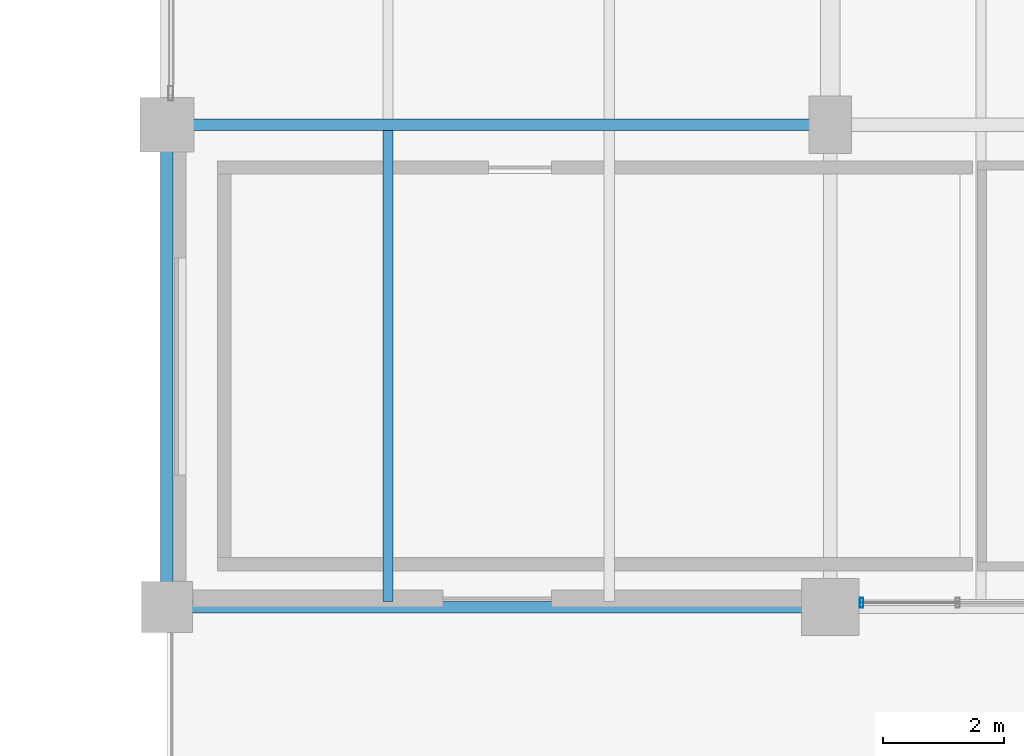
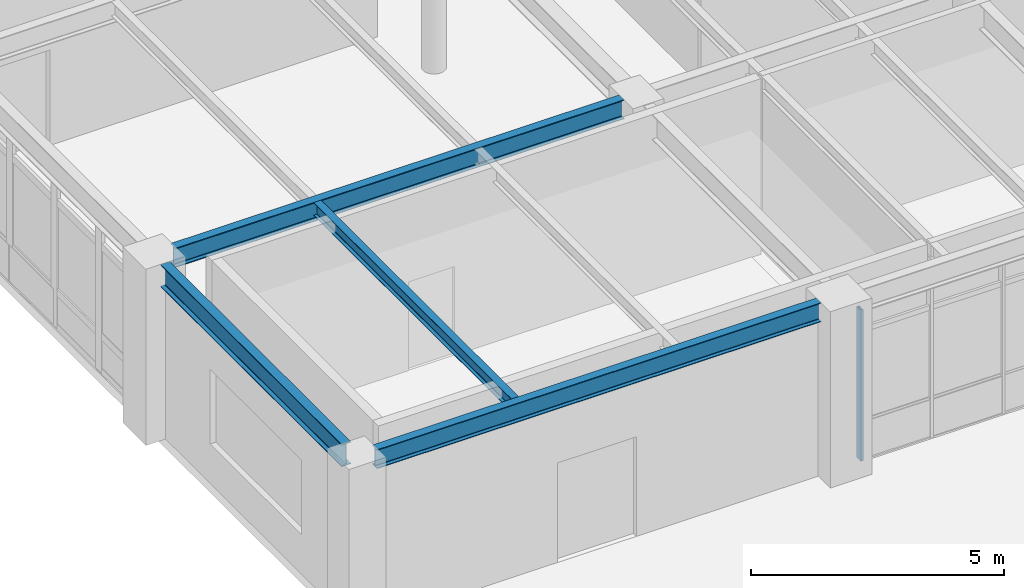
# One storey, part 69 of 168: 4 beams, 1 member, 1 element without a shape of its own.
"""IFC4 building model written with IfcOpenShell, lengths in metres."""

from ifc_helpers import new_model, si_unit, direction, frame, origin, origin_2d, place, context, subcontext, project, spatial, hollow_rectangle, i_section, extrude, material, material_profile, profile_set, type_object, element, aggregate, save


model = new_model("IFC4")

# Units and contexts
model_context = context("Model", 3, precision=1e-05, world=origin(), true_north=direction((0.0, 1.0)))
body_context = subcontext(model_context, "Body", "Model", "MODEL_VIEW")
ifc_project = project(units=[si_unit("LENGTHUNIT", "METRE"), si_unit("AREAUNIT", "SQUARE_METRE"), si_unit("VOLUMEUNIT", "CUBIC_METRE"), si_unit("PLANEANGLEUNIT", "RADIAN"), si_unit("MASSUNIT", "GRAM", prefix="KILO"), si_unit("THERMODYNAMICTEMPERATUREUNIT", "KELVIN"), si_unit("POWERUNIT", "WATT")], contexts=[model_context])

# Site, building, storey
site_placement = place(None, origin())
site = spatial("IfcSite", under=ifc_project, at=site_placement, CompositionType="ELEMENT")
building_placement = place(site_placement, origin())
building = spatial("IfcBuilding", under=site, at=building_placement, Name="Tepalcoro Natatorium and Aquatics Centre", CompositionType="ELEMENT")
storey_placement = place(building_placement, frame((0.0, 0.0, 10.199951171875)))
storey = spatial("IfcBuildingStorey", under=building, at=storey_placement, Name="L02", CompositionType="ELEMENT", Elevation=10.199951171875)

# Beam
ifc_material_1 = material(Name="Steel ASTM A992 Grade 50 (Fy 345 MPa)", Category="steel")
ifc_material_profile_1 = material_profile(ifc_material_1, i_section(OverallWidth=0.193115234375, OverallDepth=0.467041015625, WebThickness=0.010986328125, FlangeThickness=0.01904296875, FilletRadius=0.013916015625, at=origin_2d()), Name="W18X65")
ifc_profile_set_1 = profile_set([ifc_material_profile_1], Name="Steel ASTM A992 Grade 50 (Fy 345 MPa)")
beam_type_1 = type_object("IfcBeamType", Name="BM_W18x65", PredefinedType="BEAM", material=ifc_profile_set_1)
beam_1_placement = place(storey_placement, frame((10.43505859375, 102.0, 4.00146484375), z_axis=(1.0, 0.0, 0.0), x_axis=(0.0, 1.0, 0.0)))
element("IfcBeam", 1, at=beam_1_placement, inside=storey, type_object=beam_type_1, Name="V4 L02 Grid Girder X", PredefinedType="BEAM", context=body_context, shape_type="SweptSolid", body=[
    extrude(i_section(OverallWidth=0.193115234375, OverallDepth=0.467041015625, WebThickness=0.010986328125, FlangeThickness=0.01904296875, FilletRadius=0.013916015625, at=origin_2d()), origin(), (0.0, 0.0, 1.0), 10.22998046875),
])

# Curtain wall, member
ifc_material_2 = material(Name="Bronze-Anodised Extruded Aluminium Alloy EN AW-6063 T6", Category="aluminium")
curtain_wall_type = type_object("IfcCurtainWallType", Name="CW_V3_FOYER", PredefinedType="USERDEFINED", material=ifc_material_2)
curtain_wall_placement = place(storey_placement, origin())
curtain_wall = element("IfcCurtainWall", 2, at=curtain_wall_placement, inside=storey, type_object=curtain_wall_type, Name="V4 L02 S Unitised Curtain Wall Bay 2", ObjectType="UNITISED STOREFRONT", PredefinedType="USERDEFINED")
ifc_material_profile_2 = material_profile(ifc_material_2, hollow_rectangle(XDim=0.06005859375, YDim=0.159912109375, WallThickness=0.00390625, at=origin_2d()), Name="AL60X160X4")
ifc_profile_set_2 = profile_set([ifc_material_profile_2], Name="Bronze-Anodised Extruded Aluminium Alloy EN AW-6063 T6")
member_type = type_object("IfcMemberType", Name="CW_MUL_60x160", PredefinedType="MULLION", material=ifc_profile_set_2)
member_placement = place(storey_placement, frame((21.52001953125, 94.0712890625, 0.02001953125), z_axis=(0.0, 0.0, 1.0), x_axis=(1.0, 0.0, 0.0)))
member = element("IfcMember", 3, at=member_placement, type_object=member_type, Name="CW_V3_FOYER Curtain Wall Mullion", PredefinedType="MULLION", context=body_context, shape_type="SweptSolid", body=[
    extrude(hollow_rectangle(XDim=0.06005859375, YDim=0.159912109375, WallThickness=0.00390625, at=origin_2d()), origin(), (0.0, 0.0, 1.0), 3.64404296875),
])
aggregate(curtain_wall, [member])

# Beams
ifc_material_profile_3 = material_profile(ifc_material_1, i_section(OverallWidth=0.1669921875, OverallDepth=0.318115234375, WebThickness=0.008056640625, FlangeThickness=0.012939453125, FilletRadius=0.013916015625, at=origin_2d()), Name="W12X35")
ifc_profile_set_3 = profile_set([ifc_material_profile_3], Name="Steel ASTM A992 Grade 50 (Fy 345 MPa)")
beam_type_2 = type_object("IfcBeamType", Name="JS_W12x35", PredefinedType="JOIST", material=ifc_profile_set_3)
beam_2_placement = place(storey_placement, frame((13.666748046875, 94.095458984375, 4.075927734375), z_axis=(0.0, 1.0, 0.0), x_axis=(-1.0, 0.0, 0.0)))
element("IfcBeam", 4, at=beam_2_placement, inside=storey, type_object=beam_type_2, Name="V4 L02 Floor Joist", PredefinedType="JOIST", context=body_context, shape_type="SweptSolid", body=[
    extrude(i_section(OverallWidth=0.1669921875, OverallDepth=0.318115234375, WebThickness=0.008056640625, FlangeThickness=0.012939453125, FilletRadius=0.013916015625, at=origin_2d()), origin(), (0.0, 0.0, 1.0), 7.80810546875),
])
ifc_material_profile_4 = material_profile(ifc_material_1, i_section(OverallWidth=0.19091796875, OverallDepth=0.4599609375, WebThickness=0.010009765625, FlangeThickness=0.01611328125, FilletRadius=0.013916015625, at=origin_2d()), Name="W18X55")
ifc_profile_set_4 = profile_set([ifc_material_profile_4], Name="Steel ASTM A992 Grade 50 (Fy 345 MPa)")
beam_type_3 = type_object("IfcBeamType", Name="SP_W18x55", PredefinedType="SPANDREL", material=ifc_profile_set_4)
beam_3_placement = place(storey_placement, frame((10.409912109375, 94.0, 4.005126953125), z_axis=(1.0, 0.0, 0.0), x_axis=(0.0, 1.0, 0.0)))
element("IfcBeam", 5, at=beam_3_placement, inside=storey, type_object=beam_type_3, Name="V4 L02 Grid Girder X", PredefinedType="SPANDREL", context=body_context, shape_type="SweptSolid", body=[
    extrude(i_section(OverallWidth=0.19091796875, OverallDepth=0.4599609375, WebThickness=0.010009765625, FlangeThickness=0.01611328125, FilletRadius=0.013916015625, at=origin_2d()), origin(), (0.0, 0.0, 1.0), 10.130126953125),
])
ifc_material_profile_5 = material_profile(ifc_material_1, i_section(OverallWidth=0.2099609375, OverallDepth=0.535888671875, WebThickness=0.010986328125, FlangeThickness=0.01708984375, FilletRadius=0.013916015625, at=origin_2d()), Name="W21X68")
ifc_profile_set_5 = profile_set([ifc_material_profile_5], Name="Steel ASTM A992 Grade 50 (Fy 345 MPa)")
beam_type_4 = type_object("IfcBeamType", Name="SP_W21x68", PredefinedType="SPANDREL", material=ifc_profile_set_5)
beam_4_placement = place(storey_placement, frame((10.0, 94.409912109375, 3.967041015625), z_axis=(0.0, 1.0, 0.0), x_axis=(-1.0, 0.0, 0.0)))
element("IfcBeam", 6, at=beam_4_placement, inside=storey, type_object=beam_type_4, Name="V4 L02 Grid Girder Y", PredefinedType="SPANDREL", context=body_context, shape_type="SweptSolid", body=[
    extrude(i_section(OverallWidth=0.2099609375, OverallDepth=0.535888671875, WebThickness=0.010986328125, FlangeThickness=0.01708984375, FilletRadius=0.013916015625, at=origin_2d()), origin(), (0.0, 0.0, 1.0), 7.155029296875),
])

save(model, "model.ifc")
